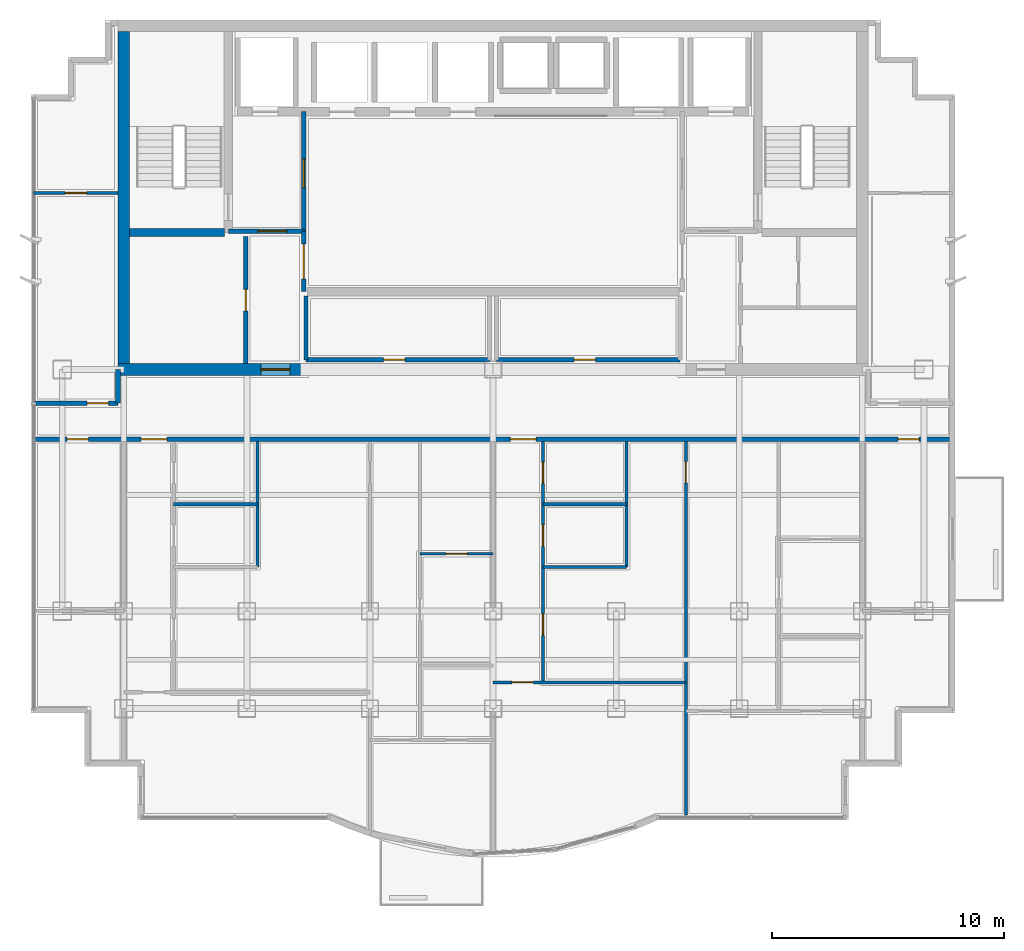
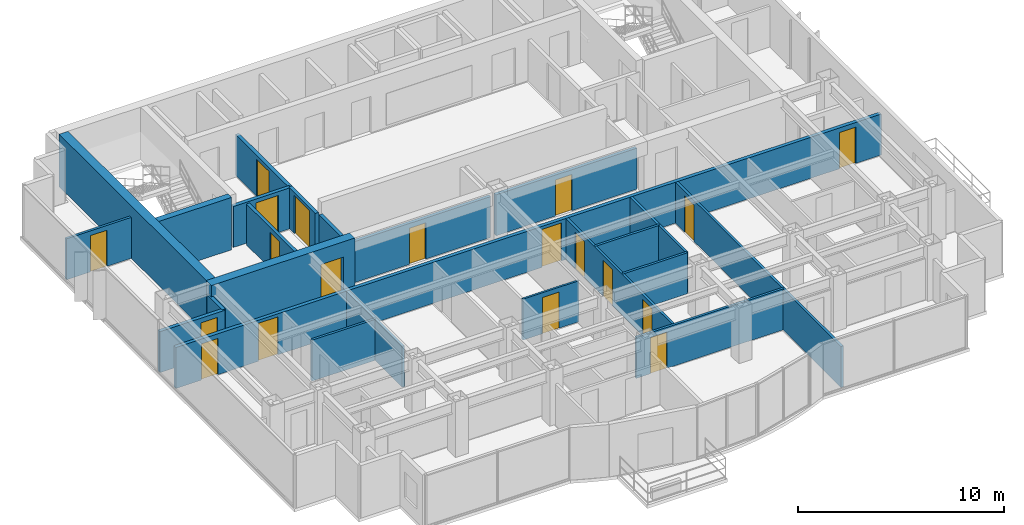
# One storey, part 7 of 11: 23 walls, 19 doors, 19 openings.
"""IFC4 building model written with IfcOpenShell, lengths in metres."""

from ifc_helpers import new_model, si_unit, direction, frame, frame_2d, origin, place, context, subcontext, project, spatial, rectangle, extrude, material, layer, layer_set, type_object, element, fill, save


model = new_model("IFC4")

# Units and contexts
model_context = context("Model", 3, precision=1e-05, world=origin(), true_north=direction((0.0, 1.0)))
body_context = subcontext(model_context, "Body", "Model", "MODEL_VIEW")
ifc_project = project(units=[si_unit("LENGTHUNIT", "METRE"), si_unit("AREAUNIT", "SQUARE_METRE"), si_unit("VOLUMEUNIT", "CUBIC_METRE"), si_unit("PLANEANGLEUNIT", "RADIAN"), si_unit("MASSUNIT", "GRAM", prefix="KILO")], contexts=[model_context])

# Site, building, storey
site_placement = place(None, origin())
site = spatial("IfcSite", under=ifc_project, at=site_placement, CompositionType="ELEMENT")
building_placement = place(site_placement, origin())
building = spatial("IfcBuilding", under=site, at=building_placement, Name="Qianlan Lanfeng Residences", CompositionType="ELEMENT")
storey_placement = place(building_placement, frame((0.0, 0.0, 226.39990234375)))
storey = spatial("IfcBuildingStorey", under=building, at=storey_placement, Name="L62", CompositionType="ELEMENT", Elevation=226.39990234375)

# Walls
ifc_material_1 = material(Name="Concrete C49", Category="concrete")
ifc_layer_1 = layer(ifc_material_1, 0.35009765625)
ifc_layer_set_1 = layer_set([ifc_layer_1], Name="Concrete C49")
wall_type_1 = type_object("IfcWallType", Name="CW-RC-350", PredefinedType="SHEAR", material=ifc_layer_set_1)
wall_1_placement = place(storey_placement, frame((10.85009765625, 31.10009765625, 0.0), z_axis=(0.0, 0.0, 1.0), x_axis=(1.0, 0.0, 0.0)))
element("IfcWall", 1, at=wall_1_placement, inside=storey, type_object=wall_type_1, Name="L62 Core Shear Wall ST1S", PredefinedType="SHEAR", context=body_context, shape_type="SweptSolid", body=[
    extrude(rectangle(XDim=4.074951171875, YDim=0.35009765625, at=frame_2d((2.03759765625, 0.0))), origin(), (0.0, 0.0, 1.0), 3.110107421875),
])
ifc_material_2 = material(Name="Concrete C70", Category="concrete")
ifc_layer_2 = layer(ifc_material_2, 0.5)
ifc_layer_set_2 = layer_set([ifc_layer_2], Name="Concrete C70")
wall_type_2 = type_object("IfcWallType", Name="CW-RC-500", PredefinedType="SHEAR", material=ifc_layer_set_2)
wall_2_placement = place(storey_placement, frame((10.60009765625, 25.449951171875, 0.0), z_axis=(0.0, 0.0, 1.0), x_axis=(0.0, 1.0, 0.0)))
element("IfcWall", 2, at=wall_2_placement, inside=storey, type_object=wall_type_2, Name="L62 Core Shear Wall W", PredefinedType="SHEAR", context=body_context, shape_type="SweptSolid", body=[
    extrude(rectangle(XDim=14.300048828125, YDim=0.5, at=frame_2d((7.14990234375, 0.0))), origin(), (0.0, 0.0, 1.0), 3.110107421875),
])

# Wall, opening, door
wall_3_placement = place(storey_placement, frame((10.35009765625, 25.199951171875, 0.0), z_axis=(0.0, 0.0, 1.0), x_axis=(1.0, 0.0, 0.0)))
wall_3 = element("IfcWall", 3, at=wall_3_placement, inside=storey, type_object=wall_type_2, Name="L62 Core Shear Wall SW", PredefinedType="SHEAR", context=body_context, shape_type="SweptSolid", body=[
    extrude(rectangle(XDim=8.0498046875, YDim=0.5, at=frame_2d((4.02490234375, 0.0))), origin(), (0.0, 0.0, 1.0), 3.110107421875),
])
opening_1_placement = place(wall_3_placement, frame((6.14990234375, 0.0, 0.0)))
opening_1 = element("IfcOpeningElement", 4, at=opening_1_placement, cuts=wall_3, Name="Opening L62-D01", PredefinedType="OPENING", context=body_context, shape_type="SweptSolid", body=[
    extrude(rectangle(XDim=1.25, YDim=2.199951171875, at=frame_2d((0.625, 1.10009765625))), frame((0.0, 0.260009765625, 0.0), z_axis=(0.0, -1.0, 0.0), x_axis=(1.0, 0.0, 0.0)), (0.0, 0.0, 1.0), 0.52001953125),
])
ifc_material_3 = material(Name="Painted Galvanised Steel Fire Door", Category="steel")
door_type_1 = type_object("IfcDoorType", Name="DT-FFL", OperationType="NOTDEFINED", PredefinedType="DOOR", material=ifc_material_3)
door_1_placement = place(opening_1_placement, origin())
door_1 = element("IfcDoor", 5, at=door_1_placement, inside=storey, type_object=door_type_1, Name="L62 West Core Lobby Smoke Door L62-D01 (DT-FFL)", OperationType="SINGLE_SWING_RIGHT", OverallHeight=2.199951171875, OverallWidth=1.25, PredefinedType="DOOR", context=body_context, shape_type="SweptSolid", body=[
    extrude(rectangle(XDim=1.25, YDim=2.199951171875, at=frame_2d((0.625, 1.10009765625))), frame((0.0, 0.02490234375, 0.0), z_axis=(0.0, -1.0, 0.0), x_axis=(1.0, 0.0, 0.0)), (0.0, 0.0, 1.0), 0.050048828125),
])
fill(opening_1, door_1)

ifc_material_4 = material(Name="Demountable Acoustic Framing Partition 110 mm")
ifc_layer_3 = layer(ifc_material_4, 0.110107421875)
ifc_layer_set_3 = layer_set([ifc_layer_3], Name="Demountable Acoustic Framing Partition 110 mm")
wall_type_3 = type_object("IfcWallType", Name="PW-110", PredefinedType="MOVABLE", material=ifc_layer_set_3)
wall_4_placement = place(storey_placement, frame((23.35009765625, 17.27392578125, 0.0), z_axis=(0.0, 0.0, 1.0), x_axis=(1.0, 0.0, 0.0)))
wall_4 = element("IfcWall", 6, at=wall_4_placement, inside=storey, type_object=wall_type_3, Name="L62 U01 Wardrobe Split", PredefinedType="MOVABLE", context=body_context, shape_type="SweptSolid", body=[
    extrude(rectangle(XDim=3.14990234375, YDim=0.110107421875, at=frame_2d((1.574951171875, 0.0))), origin(), (0.0, 0.0, 1.0), 2.43017578125),
])
opening_2_placement = place(wall_4_placement, frame((1.114990234375, 0.0, 0.0)))
opening_2 = element("IfcOpeningElement", 7, at=opening_2_placement, cuts=wall_4, Name="Opening L62-D26", PredefinedType="OPENING", context=body_context, shape_type="SweptSolid", body=[
    extrude(rectangle(XDim=0.919921875, YDim=2.14990234375, at=frame_2d((0.4599609375, 1.074951171875))), frame((0.0, 0.06494140625, 0.0), z_axis=(0.0, -1.0, 0.0), x_axis=(1.0, 0.0, 0.0)), (0.0, 0.0, 1.0), 0.130126953125),
])
ifc_material_5 = material(Name="Glazed Timber Kitchen/Study Door", Category="wood")
door_type_2 = type_object("IfcDoorType", Name="DT-INT", OperationType="NOTDEFINED", PredefinedType="DOOR", material=ifc_material_5)
door_2_placement = place(opening_2_placement, origin())
door_2 = element("IfcDoor", 8, at=door_2_placement, inside=storey, type_object=door_type_2, Name="L62 U01 Dressing Inner Door L62-D26 (DT-INT)", OperationType="SINGLE_SWING_LEFT", OverallHeight=2.14990234375, OverallWidth=0.919921875, PredefinedType="DOOR", context=body_context, shape_type="SweptSolid", body=[
    extrude(rectangle(XDim=0.919921875, YDim=2.14990234375, at=frame_2d((0.4599609375, 1.074951171875))), frame((0.0, 0.02490234375, 0.0), z_axis=(0.0, -1.0, 0.0), x_axis=(1.0, 0.0, 0.0)), (0.0, 0.0, 1.0), 0.050048828125),
])
fill(opening_2, door_2)

# Walls
ifc_material_6 = material(Name="Moisture-Resistant Gypsum Partition 135 mm")
ifc_layer_4 = layer(ifc_material_6, 0.135009765625)
ifc_layer_set_4 = layer_set([ifc_layer_4], Name="Moisture-Resistant Gypsum Partition 135 mm")
wall_type_4 = type_object("IfcWallType", Name="PW-135", PredefinedType="PARTITIONING", material=ifc_layer_set_4)
wall_5_placement = place(storey_placement, frame((16.35009765625, 16.699951171875, 0.0), z_axis=(0.0, 0.0, 1.0), x_axis=(0.0, 1.0, 0.0)))
element("IfcWall", 9, at=wall_5_placement, inside=storey, type_object=wall_type_4, Name="L62 U01 Dining East Wall", PredefinedType="PARTITIONING", context=body_context, shape_type="SweptSolid", body=[
    extrude(rectangle(XDim=5.400146484375, YDim=0.135009765625, at=frame_2d((2.7001953125, 0.0))), origin(), (0.0, 0.0, 1.0), 2.43017578125),
])
wall_6_placement = place(storey_placement, frame((12.75, 19.39990234375, 0.0), z_axis=(0.0, 0.0, 1.0), x_axis=(1.0, 0.0, 0.0)))
element("IfcWall", 10, at=wall_6_placement, inside=storey, type_object=wall_type_4, Name="L62 U01 Bathroom South Wall", PredefinedType="PARTITIONING", context=body_context, shape_type="SweptSolid", body=[
    extrude(rectangle(XDim=3.60009765625, YDim=0.135009765625, at=frame_2d((1.800048828125, 0.0))), origin(), (0.0, 0.0, 1.0), 2.43017578125),
])

# Wall, opening, door
wall_7_placement = place(storey_placement, frame((34.800048828125, 6.02001953125, 0.0), z_axis=(0.0, 0.0, 1.0), x_axis=(0.0, 1.0, 0.0)))
wall_7 = element("IfcWall", 11, at=wall_7_placement, inside=storey, type_object=wall_type_4, Name="L62 U02 Bay Spine Wall 1", PredefinedType="PARTITIONING", context=body_context, shape_type="SweptSolid", body=[
    extrude(rectangle(XDim=16.080078125, YDim=0.135009765625, at=frame_2d((8.0400390625, 0.0))), origin(), (0.0, 0.0, 1.0), 2.43017578125),
])
opening_3_placement = place(wall_7_placement, frame((14.294921875, 0.0, 0.0)))
opening_3 = element("IfcOpeningElement", 12, at=opening_3_placement, cuts=wall_7, Name="Opening L62-D28", PredefinedType="OPENING", context=body_context, shape_type="SweptSolid", body=[
    extrude(rectangle(XDim=0.919921875, YDim=2.14990234375, at=frame_2d((0.4599609375, 1.074951171875))), frame((0.0, 0.07763671875, 0.0), z_axis=(0.0, -1.0, 0.0), x_axis=(1.0, 0.0, 0.0)), (0.0, 0.0, 1.0), 0.155029296875),
])
door_3_placement = place(opening_3_placement, origin())
door_3 = element("IfcDoor", 13, at=door_3_placement, inside=storey, type_object=door_type_2, Name="L62 U02 Internal Hall Door L62-D28 (DT-INT)", OperationType="SINGLE_SWING_LEFT", OverallHeight=2.14990234375, OverallWidth=0.919921875, PredefinedType="DOOR", context=body_context, shape_type="SweptSolid", body=[
    extrude(rectangle(XDim=0.919921875, YDim=2.14990234375, at=frame_2d((0.4599609375, 1.074951171875))), frame((0.0, 0.02490234375, 0.0), z_axis=(0.0, -1.0, 0.0), x_axis=(1.0, 0.0, 0.0)), (0.0, 0.0, 1.0), 0.050048828125),
])
fill(opening_3, door_3)

wall_8_placement = place(storey_placement, frame((26.5, 11.72900390625, 0.0), z_axis=(0.0, 0.0, 1.0), x_axis=(1.0, 0.0, 0.0)))
wall_8 = element("IfcWall", 14, at=wall_8_placement, inside=storey, type_object=wall_type_4, Name="L62 U02 Living Divider", PredefinedType="PARTITIONING", context=body_context, shape_type="SweptSolid", body=[
    extrude(rectangle(XDim=8.300048828125, YDim=0.135009765625, at=frame_2d((4.14990234375, 0.0))), origin(), (0.0, 0.0, 1.0), 2.43017578125),
])
opening_4_placement = place(wall_8_placement, frame((0.81494140625, 0.0, 0.0)))
opening_4 = element("IfcOpeningElement", 15, at=opening_4_placement, cuts=wall_8, Name="Opening L62-D29", PredefinedType="OPENING", context=body_context, shape_type="SweptSolid", body=[
    extrude(rectangle(XDim=0.919921875, YDim=2.14990234375, at=frame_2d((0.4599609375, 1.074951171875))), frame((0.0, 0.07763671875, 0.0), z_axis=(0.0, -1.0, 0.0), x_axis=(1.0, 0.0, 0.0)), (0.0, 0.0, 1.0), 0.155029296875),
])
door_4_placement = place(opening_4_placement, origin())
door_4 = element("IfcDoor", 16, at=door_4_placement, inside=storey, type_object=door_type_2, Name="L62 U02 Living Passage Door L62-D29 (DT-INT)", OperationType="SINGLE_SWING_LEFT", OverallHeight=2.14990234375, OverallWidth=0.919921875, PredefinedType="DOOR", context=body_context, shape_type="SweptSolid", body=[
    extrude(rectangle(XDim=0.919921875, YDim=2.14990234375, at=frame_2d((0.4599609375, 1.074951171875))), frame((0.0, 0.02490234375, 0.0), z_axis=(0.0, -1.0, 0.0), x_axis=(1.0, 0.0, 0.0)), (0.0, 0.0, 1.0), 0.050048828125),
])
fill(opening_4, door_4)

# Wall, openings, doors
wall_9_placement = place(storey_placement, frame((28.64990234375, 11.72900390625, 0.0), z_axis=(0.0, 0.0, 1.0), x_axis=(0.0, 1.0, 0.0)))
wall_9 = element("IfcWall", 17, at=wall_9_placement, inside=storey, type_object=wall_type_4, Name="L62 U02 Entry Hall Spine", PredefinedType="PARTITIONING", context=body_context, shape_type="SweptSolid", body=[
    extrude(rectangle(XDim=10.37109375, YDim=0.135009765625, at=frame_2d((5.185546875, 0.0))), origin(), (0.0, 0.0, 1.0), 2.43017578125),
])
opening_5_placement = place(wall_9_placement, frame((2.02587890625, 0.0, 0.0)))
opening_5 = element("IfcOpeningElement", 18, at=opening_5_placement, cuts=wall_9, Name="Opening L62-D30", PredefinedType="OPENING", context=body_context, shape_type="SweptSolid", body=[
    extrude(rectangle(XDim=0.919921875, YDim=2.14990234375, at=frame_2d((0.4599609375, 1.074951171875))), frame((0.0, 0.07763671875, 0.0), z_axis=(0.0, -1.0, 0.0), x_axis=(1.0, 0.0, 0.0)), (0.0, 0.0, 1.0), 0.155029296875),
])
opening_6_placement = place(wall_9_placement, frame((5.861083984375, 0.0, 0.0)))
opening_6 = element("IfcOpeningElement", 19, at=opening_6_placement, cuts=wall_9, Name="Opening L62-D31", PredefinedType="OPENING", context=body_context, shape_type="SweptSolid", body=[
    extrude(rectangle(XDim=0.919921875, YDim=2.14990234375, at=frame_2d((0.4599609375, 1.074951171875))), frame((0.0, 0.07763671875, 0.0), z_axis=(0.0, -1.0, 0.0), x_axis=(1.0, 0.0, 0.0)), (0.0, 0.0, 1.0), 0.155029296875),
])
opening_7_placement = place(wall_9_placement, frame((8.571044921875, 0.0, 0.0)))
opening_7 = element("IfcOpeningElement", 20, at=opening_7_placement, cuts=wall_9, Name="Opening L62-D32", PredefinedType="OPENING", context=body_context, shape_type="SweptSolid", body=[
    extrude(rectangle(XDim=0.89990234375, YDim=2.14990234375, at=frame_2d((0.449951171875, 1.074951171875))), frame((0.0, 0.07763671875, 0.0), z_axis=(0.0, -1.0, 0.0), x_axis=(1.0, 0.0, 0.0)), (0.0, 0.0, 1.0), 0.155029296875),
])
door_5_placement = place(opening_5_placement, origin())
door_5 = element("IfcDoor", 21, at=door_5_placement, inside=storey, type_object=door_type_2, Name="L62 U02 Study Door L62-D30 (DT-INT)", OperationType="SINGLE_SWING_LEFT", OverallHeight=2.14990234375, OverallWidth=0.919921875, PredefinedType="DOOR", context=body_context, shape_type="SweptSolid", body=[
    extrude(rectangle(XDim=0.919921875, YDim=2.14990234375, at=frame_2d((0.4599609375, 1.074951171875))), frame((0.0, 0.02490234375, 0.0), z_axis=(0.0, -1.0, 0.0), x_axis=(1.0, 0.0, 0.0)), (0.0, 0.0, 1.0), 0.050048828125),
])
fill(opening_5, door_5)
door_6_placement = place(opening_6_placement, origin())
door_6 = element("IfcDoor", 22, at=door_6_placement, inside=storey, type_object=door_type_2, Name="L62 U02 Kitchen Door L62-D31 (DT-INT)", OperationType="SINGLE_SWING_RIGHT", OverallHeight=2.14990234375, OverallWidth=0.919921875, PredefinedType="DOOR", context=body_context, shape_type="SweptSolid", body=[
    extrude(rectangle(XDim=0.919921875, YDim=2.14990234375, at=frame_2d((0.4599609375, 1.074951171875))), frame((0.0, 0.02490234375, 0.0), z_axis=(0.0, -1.0, 0.0), x_axis=(1.0, 0.0, 0.0)), (0.0, 0.0, 1.0), 0.050048828125),
])
fill(opening_6, door_6)
ifc_material_7 = material(Name="Moisture-Resistant Timber Leaf", Category="wood")
door_type_3 = type_object("IfcDoorType", Name="DT-WC", OperationType="NOTDEFINED", PredefinedType="DOOR", material=ifc_material_7)
door_7_placement = place(opening_7_placement, origin())
door_7 = element("IfcDoor", 23, at=door_7_placement, inside=storey, type_object=door_type_3, Name="L62 U02 Bathroom Door L62-D32 (DT-WC)", OperationType="SINGLE_SWING_LEFT", OverallHeight=2.14990234375, OverallWidth=0.89990234375, PredefinedType="DOOR", context=body_context, shape_type="SweptSolid", body=[
    extrude(rectangle(XDim=0.89990234375, YDim=2.14990234375, at=frame_2d((0.449951171875, 1.074951171875))), frame((0.0, 0.02490234375, 0.0), z_axis=(0.0, -1.0, 0.0), x_axis=(1.0, 0.0, 0.0)), (0.0, 0.0, 1.0), 0.050048828125),
])
fill(opening_7, door_7)

# Walls
wall_10_placement = place(storey_placement, frame((28.64990234375, 16.699951171875, 0.0), z_axis=(0.0, 0.0, 1.0), x_axis=(1.0, 0.0, 0.0)))
element("IfcWall", 24, at=wall_10_placement, inside=storey, type_object=wall_type_4, Name="L62 U02 Kitchen South Wall", PredefinedType="PARTITIONING", context=body_context, shape_type="SweptSolid", body=[
    extrude(rectangle(XDim=3.60009765625, YDim=0.135009765625, at=frame_2d((1.800048828125, 0.0))), origin(), (0.0, 0.0, 1.0), 2.43017578125),
])
wall_11_placement = place(storey_placement, frame((32.25, 16.699951171875, 0.0), z_axis=(0.0, 0.0, 1.0), x_axis=(0.0, 1.0, 0.0)))
element("IfcWall", 25, at=wall_11_placement, inside=storey, type_object=wall_type_4, Name="L62 U02 Dining East Wall", PredefinedType="PARTITIONING", context=body_context, shape_type="SweptSolid", body=[
    extrude(rectangle(XDim=5.400146484375, YDim=0.135009765625, at=frame_2d((2.7001953125, 0.0))), origin(), (0.0, 0.0, 1.0), 2.43017578125),
])
wall_12_placement = place(storey_placement, frame((28.64990234375, 19.39990234375, 0.0), z_axis=(0.0, 0.0, 1.0), x_axis=(1.0, 0.0, 0.0)))
element("IfcWall", 26, at=wall_12_placement, inside=storey, type_object=wall_type_4, Name="L62 U02 Bathroom South Wall", PredefinedType="PARTITIONING", context=body_context, shape_type="SweptSolid", body=[
    extrude(rectangle(XDim=3.60009765625, YDim=0.135009765625, at=frame_2d((1.800048828125, 0.0))), origin(), (0.0, 0.0, 1.0), 2.43017578125),
])

# Wall, opening, door
wall_13_placement = place(storey_placement, frame((6.719970703125, 32.800048828125, 0.0), z_axis=(0.0, 0.0, 1.0), x_axis=(1.0, 0.0, 0.0)))
wall_13 = element("IfcWall", 27, at=wall_13_placement, inside=storey, type_object=wall_type_4, Name="L62 WW North Wing Wall", PredefinedType="PARTITIONING", context=body_context, shape_type="SweptSolid", body=[
    extrude(rectangle(XDim=3.630126953125, YDim=0.135009765625, at=frame_2d((1.81494140625, 0.0))), origin(), (0.0, 0.0, 1.0), 2.43017578125),
])
opening_8_placement = place(wall_13_placement, frame((1.35498046875, 0.0, 0.0)))
opening_8 = element("IfcOpeningElement", 28, at=opening_8_placement, cuts=wall_13, Name="Opening L62-D41", PredefinedType="OPENING", context=body_context, shape_type="SweptSolid", body=[
    extrude(rectangle(XDim=0.919921875, YDim=2.14990234375, at=frame_2d((0.4599609375, 1.074951171875))), frame((0.0, 0.07763671875, 0.0), z_axis=(0.0, -1.0, 0.0), x_axis=(1.0, 0.0, 0.0)), (0.0, 0.0, 1.0), 0.155029296875),
])
door_8_placement = place(opening_8_placement, origin())
door_8 = element("IfcDoor", 29, at=door_8_placement, inside=storey, type_object=door_type_2, Name="L62 WW Inner Salon Door L62-D41 (DT-INT)", OperationType="SINGLE_SWING_RIGHT", OverallHeight=2.14990234375, OverallWidth=0.919921875, PredefinedType="DOOR", context=body_context, shape_type="SweptSolid", body=[
    extrude(rectangle(XDim=0.919921875, YDim=2.14990234375, at=frame_2d((0.4599609375, 1.074951171875))), frame((0.0, 0.02490234375, 0.0), z_axis=(0.0, -1.0, 0.0), x_axis=(1.0, 0.0, 0.0)), (0.0, 0.0, 1.0), 0.050048828125),
])
fill(opening_8, door_8)

ifc_material_8 = material(Name="Double-Layer Acoustic Gypsum Stud Wall 180 mm")
ifc_layer_5 = layer(ifc_material_8, 0.179931640625)
ifc_layer_set_5 = layer_set([ifc_layer_5], Name="Double-Layer Acoustic Gypsum Stud Wall 180 mm")
wall_type_5 = type_object("IfcWallType", Name="PW-180", PredefinedType="PARTITIONING", material=ifc_layer_set_5)
wall_14_placement = place(storey_placement, frame((15.85009765625, 25.449951171875, 0.0), z_axis=(0.0, 0.0, 1.0), x_axis=(0.0, 1.0, 0.0)))
wall_14 = element("IfcWall", 30, at=wall_14_placement, inside=storey, type_object=wall_type_5, Name="L62 Core West Service Room Wall", PredefinedType="PARTITIONING", context=body_context, shape_type="SweptSolid", body=[
    extrude(rectangle(XDim=5.47509765625, YDim=0.179931640625, at=frame_2d((2.737548828125, 0.0))), origin(), (0.0, 0.0, 1.0), 2.43017578125),
])
opening_9_placement = place(wall_14_placement, frame((2.277099609375, 0.0, 0.0)))
opening_9 = element("IfcOpeningElement", 31, at=opening_9_placement, cuts=wall_14, Name="Opening L62-D09", PredefinedType="OPENING", context=body_context, shape_type="SweptSolid", body=[
    extrude(rectangle(XDim=0.919921875, YDim=2.14990234375, at=frame_2d((0.4599609375, 1.074951171875))), frame((0.0, 0.10009765625, 0.0), z_axis=(0.0, -1.0, 0.0), x_axis=(1.0, 0.0, 0.0)), (0.0, 0.0, 1.0), 0.199951171875),
])
door_9_placement = place(opening_9_placement, origin())
door_9 = element("IfcDoor", 32, at=door_9_placement, inside=storey, type_object=door_type_2, Name="L62 Storage Room Door L62-D09 (DT-INT)", OperationType="SINGLE_SWING_RIGHT", OverallHeight=2.14990234375, OverallWidth=0.919921875, PredefinedType="DOOR", context=body_context, shape_type="SweptSolid", body=[
    extrude(rectangle(XDim=0.919921875, YDim=2.14990234375, at=frame_2d((0.4599609375, 1.074951171875))), frame((0.0, 0.02490234375, 0.0), z_axis=(0.0, -1.0, 0.0), x_axis=(1.0, 0.0, 0.0)), (0.0, 0.0, 1.0), 0.050048828125),
])
fill(opening_9, door_9)

# Wall
wall_15_placement = place(storey_placement, frame((18.449951171875, 25.6201171875, 0.0), z_axis=(0.0, 0.0, 1.0), x_axis=(0.0, 1.0, 0.0)))
element("IfcWall", 33, at=wall_15_placement, inside=storey, type_object=wall_type_5, Name="L62 Reclaimed Low-Bank Room West Wall", PredefinedType="PARTITIONING", context=body_context, shape_type="SweptSolid", body=[
    extrude(rectangle(XDim=2.7548828125, YDim=0.179931640625, at=frame_2d((1.37744140625, 0.0))), origin(), (0.0, 0.0, 1.0), 2.43017578125),
])

# Wall, opening, door
wall_16_placement = place(storey_placement, frame((18.449951171875, 25.6201171875, 0.0), z_axis=(0.0, 0.0, 1.0), x_axis=(1.0, 0.0, 0.0)))
wall_16 = element("IfcWall", 34, at=wall_16_placement, inside=storey, type_object=wall_type_5, Name="L62 Reclaimed Low-Bank Room South Wall", PredefinedType="PARTITIONING", context=body_context, shape_type="SweptSolid", body=[
    extrude(rectangle(XDim=7.900146484375, YDim=0.179931640625, at=frame_2d((3.9501953125, 0.0))), origin(), (0.0, 0.0, 1.0), 2.43017578125),
])
opening_10_placement = place(wall_16_placement, frame((3.340087890625, 0.0, 0.0)))
opening_10 = element("IfcOpeningElement", 35, at=opening_10_placement, cuts=wall_16, Name="Opening L62-D15", PredefinedType="OPENING", context=body_context, shape_type="SweptSolid", body=[
    extrude(rectangle(XDim=0.919921875, YDim=2.14990234375, at=frame_2d((0.4599609375, 1.074951171875))), frame((0.0, 0.10009765625, 0.0), z_axis=(0.0, -1.0, 0.0), x_axis=(1.0, 0.0, 0.0)), (0.0, 0.0, 1.0), 0.199951171875),
])
door_10_placement = place(opening_10_placement, origin())
door_10 = element("IfcDoor", 36, at=door_10_placement, inside=storey, type_object=door_type_2, Name="L62 Reclaimed Core Salon Door L62-D15 (DT-INT)", OperationType="SINGLE_SWING_RIGHT", OverallHeight=2.14990234375, OverallWidth=0.919921875, PredefinedType="DOOR", context=body_context, shape_type="SweptSolid", body=[
    extrude(rectangle(XDim=0.919921875, YDim=2.14990234375, at=frame_2d((0.4599609375, 1.074951171875))), frame((0.0, 0.02490234375, 0.0), z_axis=(0.0, -1.0, 0.0), x_axis=(1.0, 0.0, 0.0)), (0.0, 0.0, 1.0), 0.050048828125),
])
fill(opening_10, door_10)

wall_17_placement = place(storey_placement, frame((26.64990234375, 25.6201171875, 0.0), z_axis=(0.0, 0.0, 1.0), x_axis=(1.0, 0.0, 0.0)))
wall_17 = element("IfcWall", 37, at=wall_17_placement, inside=storey, type_object=wall_type_5, Name="L62 Reclaimed Mid-Bank Room South Wall", PredefinedType="PARTITIONING", context=body_context, shape_type="SweptSolid", body=[
    extrude(rectangle(XDim=7.900146484375, YDim=0.179931640625, at=frame_2d((3.9501953125, 0.0))), origin(), (0.0, 0.0, 1.0), 2.43017578125),
])
opening_11_placement = place(wall_17_placement, frame((3.340087890625, 0.0, 0.0)))
opening_11 = element("IfcOpeningElement", 38, at=opening_11_placement, cuts=wall_17, Name="Opening L62-D16", PredefinedType="OPENING", context=body_context, shape_type="SweptSolid", body=[
    extrude(rectangle(XDim=0.919921875, YDim=2.14990234375, at=frame_2d((0.4599609375, 1.074951171875))), frame((0.0, 0.10009765625, 0.0), z_axis=(0.0, -1.0, 0.0), x_axis=(1.0, 0.0, 0.0)), (0.0, 0.0, 1.0), 0.199951171875),
])
door_11_placement = place(opening_11_placement, origin())
door_11 = element("IfcDoor", 39, at=door_11_placement, inside=storey, type_object=door_type_2, Name="L62 Reclaimed Mid-Bank Salon Door L62-D16 (DT-INT)", OperationType="SINGLE_SWING_LEFT", OverallHeight=2.14990234375, OverallWidth=0.919921875, PredefinedType="DOOR", context=body_context, shape_type="SweptSolid", body=[
    extrude(rectangle(XDim=0.919921875, YDim=2.14990234375, at=frame_2d((0.4599609375, 1.074951171875))), frame((0.0, 0.02490234375, 0.0), z_axis=(0.0, -1.0, 0.0), x_axis=(1.0, 0.0, 0.0)), (0.0, 0.0, 1.0), 0.050048828125),
])
fill(opening_11, door_11)

ifc_material_9 = material(Name="Autoclaved Aerated Concrete Blockwork 200 mm", Category="masonry")
ifc_layer_6 = layer(ifc_material_9, 0.199951171875)
ifc_layer_set_6 = layer_set([ifc_layer_6], Name="Autoclaved Aerated Concrete Blockwork 200 mm")
wall_type_6 = type_object("IfcWallType", Name="PW-200", PredefinedType="PARTITIONING", material=ifc_layer_set_6)
wall_18_placement = place(storey_placement, frame((15.10009765625, 31.14990234375, 0.0), z_axis=(0.0, 0.0, 1.0), x_axis=(1.0, 0.0, 0.0)))
wall_18 = element("IfcWall", 40, at=wall_18_placement, inside=storey, type_object=wall_type_6, Name="L62 Firefighting Lobby 1 South Wall", PredefinedType="PARTITIONING", context=body_context, shape_type="SweptSolid", body=[
    extrude(rectangle(XDim=3.25, YDim=0.199951171875, at=frame_2d((1.625, 0.0))), origin(), (0.0, 0.0, 1.0), 2.43017578125),
])
opening_12_placement = place(wall_18_placement, frame((1.27490234375, 0.0, 0.0)))
opening_12 = element("IfcOpeningElement", 41, at=opening_12_placement, cuts=wall_18, Name="Opening L62-D03", PredefinedType="OPENING", context=body_context, shape_type="SweptSolid", body=[
    extrude(rectangle(XDim=1.25, YDim=2.199951171875, at=frame_2d((0.625, 1.10009765625))), frame((0.0, 0.10986328125, 0.0), z_axis=(0.0, -1.0, 0.0), x_axis=(1.0, 0.0, 0.0)), (0.0, 0.0, 1.0), 0.219970703125),
])
door_12_placement = place(opening_12_placement, origin())
door_12 = element("IfcDoor", 42, at=door_12_placement, inside=storey, type_object=door_type_1, Name="L62 Firefighting Lobby 1 Entry Door L62-D03 (DT-FFL)", OperationType="SINGLE_SWING_LEFT", OverallHeight=2.199951171875, OverallWidth=1.25, PredefinedType="DOOR", context=body_context, shape_type="SweptSolid", body=[
    extrude(rectangle(XDim=1.25, YDim=2.199951171875, at=frame_2d((0.625, 1.10009765625))), frame((0.0, 0.02490234375, 0.0), z_axis=(0.0, -1.0, 0.0), x_axis=(1.0, 0.0, 0.0)), (0.0, 0.0, 1.0), 0.050048828125),
])
fill(opening_12, door_12)

wall_19_placement = place(storey_placement, frame((18.35009765625, 31.14990234375, 0.0), z_axis=(0.0, 0.0, 1.0), x_axis=(0.0, 1.0, 0.0)))
wall_19 = element("IfcWall", 43, at=wall_19_placement, inside=storey, type_object=wall_type_6, Name="L62 Firefighting Lobby 1 East Wall", PredefinedType="PARTITIONING", context=body_context, shape_type="SweptSolid", body=[
    extrude(rectangle(XDim=5.150146484375, YDim=0.199951171875, at=frame_2d((2.5751953125, 0.0))), origin(), (0.0, 0.0, 1.0), 2.43017578125),
])
opening_13_placement = place(wall_19_placement, frame((1.875, 0.0, 0.0)))
opening_13 = element("IfcOpeningElement", 44, at=opening_13_placement, cuts=wall_19, Name="Opening L62-D04", PredefinedType="OPENING", context=body_context, shape_type="SweptSolid", body=[
    extrude(rectangle(XDim=1.25, YDim=2.199951171875, at=frame_2d((0.625, 1.10009765625))), frame((0.0, 0.10986328125, 0.0), z_axis=(0.0, -1.0, 0.0), x_axis=(1.0, 0.0, 0.0)), (0.0, 0.0, 1.0), 0.219970703125),
])
door_13_placement = place(opening_13_placement, origin())
door_13 = element("IfcDoor", 45, at=door_13_placement, inside=storey, type_object=door_type_1, Name="L62 Firefighting Lobby 1 Lift Lobby Door L62-D04 (DT-FFL)", OperationType="SINGLE_SWING_LEFT", OverallHeight=2.199951171875, OverallWidth=1.25, PredefinedType="DOOR", context=body_context, shape_type="SweptSolid", body=[
    extrude(rectangle(XDim=1.25, YDim=2.199951171875, at=frame_2d((0.625, 1.10009765625))), frame((0.0, 0.02490234375, 0.0), z_axis=(0.0, -1.0, 0.0), x_axis=(1.0, 0.0, 0.0)), (0.0, 0.0, 1.0), 0.050048828125),
])
fill(opening_13, door_13)

wall_20_placement = place(storey_placement, frame((18.35009765625, 28.550048828125, 0.0), z_axis=(0.0, 0.0, 1.0), x_axis=(0.0, 1.0, 0.0)))
wall_20 = element("IfcWall", 46, at=wall_20_placement, inside=storey, type_object=wall_type_6, Name="L62 Lift Lobby West Connector Wall", PredefinedType="PARTITIONING", context=body_context, shape_type="SweptSolid", body=[
    extrude(rectangle(XDim=2.599853515625, YDim=0.199951171875, at=frame_2d((1.2998046875, 0.0))), origin(), (0.0, 0.0, 1.0), 2.43017578125),
])
opening_14_placement = place(wall_20_placement, frame((0.550048828125, 0.0, 0.0)))
opening_14 = element("IfcOpeningElement", 47, at=opening_14_placement, cuts=wall_20, Name="Opening L62-D13", PredefinedType="OPENING", context=body_context, shape_type="SweptSolid", body=[
    extrude(rectangle(XDim=1.5, YDim=2.25, at=frame_2d((0.75, 1.125))), frame((0.0, 0.10986328125, 0.0), z_axis=(0.0, -1.0, 0.0), x_axis=(1.0, 0.0, 0.0)), (0.0, 0.0, 1.0), 0.219970703125),
])
ifc_material_10 = material(Name="Timber Veneer Acoustic Fire Door", Category="wood")
door_type_4 = type_object("IfcDoorType", Name="DT-COR1", OperationType="NOTDEFINED", PredefinedType="DOOR", material=ifc_material_10)
door_14_placement = place(opening_14_placement, origin())
door_14 = element("IfcDoor", 48, at=door_14_placement, inside=storey, type_object=door_type_4, Name="L62 Lift Lobby West Portal Door L62-D13 (DT-COR1)", OperationType="DOUBLE_DOOR_SINGLE_SWING", OverallHeight=2.25, OverallWidth=1.5, PredefinedType="DOOR", context=body_context, shape_type="SweptSolid", body=[
    extrude(rectangle(XDim=1.5, YDim=2.25, at=frame_2d((0.75, 1.125))), frame((0.0, 0.02490234375, 0.0), z_axis=(0.0, -1.0, 0.0), x_axis=(1.0, 0.0, 0.0)), (0.0, 0.0, 1.0), 0.050048828125),
])
fill(opening_14, door_14)

# Wall, openings, doors
wall_21_placement = place(storey_placement, frame((6.719970703125, 22.199951171875, 0.0), z_axis=(0.0, 0.0, 1.0), x_axis=(1.0, 0.0, 0.0)))
wall_21 = element("IfcWall", 49, at=wall_21_placement, inside=storey, type_object=wall_type_6, Name="L62 Residential Corridor South Fire Wall", PredefinedType="PARTITIONING", context=body_context, shape_type="SweptSolid", body=[
    extrude(rectangle(XDim=39.56005859375, YDim=0.199951171875, at=frame_2d((19.780029296875, 0.0))), origin(), (0.0, 0.0, 1.0), 2.43017578125),
])
opening_15_placement = place(wall_21_placement, frame((4.6298828125, 0.0, 0.0)))
opening_15 = element("IfcOpeningElement", 50, at=opening_15_placement, cuts=wall_21, Name="Opening L62-D17", PredefinedType="OPENING", context=body_context, shape_type="SweptSolid", body=[
    extrude(rectangle(XDim=1.10009765625, YDim=2.25, at=frame_2d((0.550048828125, 1.125))), frame((0.0, 0.10986328125, 0.0), z_axis=(0.0, -1.0, 0.0), x_axis=(1.0, 0.0, 0.0)), (0.0, 0.0, 1.0), 0.219970703125),
])
opening_16_placement = place(wall_21_placement, frame((20.530029296875, 0.0, 0.0)))
opening_16 = element("IfcOpeningElement", 51, at=opening_16_placement, cuts=wall_21, Name="Opening L62-D27", PredefinedType="OPENING", context=body_context, shape_type="SweptSolid", body=[
    extrude(rectangle(XDim=1.10009765625, YDim=2.25, at=frame_2d((0.550048828125, 1.125))), frame((0.0, 0.10986328125, 0.0), z_axis=(0.0, -1.0, 0.0), x_axis=(1.0, 0.0, 0.0)), (0.0, 0.0, 1.0), 0.219970703125),
])
opening_17_placement = place(wall_21_placement, frame((1.43505859375, 0.0, 0.0)))
opening_17 = element("IfcOpeningElement", 52, at=opening_17_placement, cuts=wall_21, Name="Opening L62-D38", PredefinedType="OPENING", context=body_context, shape_type="SweptSolid", body=[
    extrude(rectangle(XDim=0.919921875, YDim=2.14990234375, at=frame_2d((0.4599609375, 1.074951171875))), frame((0.0, 0.10986328125, 0.0), z_axis=(0.0, -1.0, 0.0), x_axis=(1.0, 0.0, 0.0)), (0.0, 0.0, 1.0), 0.219970703125),
])
opening_18_placement = place(wall_21_placement, frame((37.205078125, 0.0, 0.0)))
opening_18 = element("IfcOpeningElement", 53, at=opening_18_placement, cuts=wall_21, Name="Opening L62-D40", PredefinedType="OPENING", context=body_context, shape_type="SweptSolid", body=[
    extrude(rectangle(XDim=0.919921875, YDim=2.14990234375, at=frame_2d((0.4599609375, 1.074951171875))), frame((0.0, 0.10986328125, 0.0), z_axis=(0.0, -1.0, 0.0), x_axis=(1.0, 0.0, 0.0)), (0.0, 0.0, 1.0), 0.219970703125),
])
door_15_placement = place(opening_17_placement, origin())
door_15 = element("IfcDoor", 54, at=door_15_placement, inside=storey, type_object=door_type_2, Name="L62 SWP Corridor Door L62-D38 (DT-INT)", OperationType="SINGLE_SWING_LEFT", OverallHeight=2.14990234375, OverallWidth=0.919921875, PredefinedType="DOOR", context=body_context, shape_type="SweptSolid", body=[
    extrude(rectangle(XDim=0.919921875, YDim=2.14990234375, at=frame_2d((0.4599609375, 1.074951171875))), frame((0.0, 0.02490234375, 0.0), z_axis=(0.0, -1.0, 0.0), x_axis=(1.0, 0.0, 0.0)), (0.0, 0.0, 1.0), 0.050048828125),
])
fill(opening_17, door_15)
door_16_placement = place(opening_18_placement, origin())
door_16 = element("IfcDoor", 55, at=door_16_placement, inside=storey, type_object=door_type_2, Name="L62 SEP Corridor Door L62-D40 (DT-INT)", OperationType="SINGLE_SWING_LEFT", OverallHeight=2.14990234375, OverallWidth=0.919921875, PredefinedType="DOOR", context=body_context, shape_type="SweptSolid", body=[
    extrude(rectangle(XDim=0.919921875, YDim=2.14990234375, at=frame_2d((0.4599609375, 1.074951171875))), frame((0.0, 0.02490234375, 0.0), z_axis=(0.0, -1.0, 0.0), x_axis=(1.0, 0.0, 0.0)), (0.0, 0.0, 1.0), 0.050048828125),
])
fill(opening_18, door_16)
ifc_material_11 = material(Name="Solid-Core Oak Veneer Fire Door")
door_type_5 = type_object("IfcDoorType", Name="DT-UNIT", OperationType="NOTDEFINED", PredefinedType="DOOR", material=ifc_material_11)
door_17_placement = place(opening_15_placement, origin())
door_17 = element("IfcDoor", 56, at=door_17_placement, inside=storey, type_object=door_type_5, Name="L62 Apartment U01 Entrance Door L62-D17 (DT-UNIT)", OperationType="SINGLE_SWING_RIGHT", OverallHeight=2.25, OverallWidth=1.10009765625, PredefinedType="DOOR", context=body_context, shape_type="SweptSolid", body=[
    extrude(rectangle(XDim=1.10009765625, YDim=2.25, at=frame_2d((0.550048828125, 1.125))), frame((0.0, 0.02490234375, 0.0), z_axis=(0.0, -1.0, 0.0), x_axis=(1.0, 0.0, 0.0)), (0.0, 0.0, 1.0), 0.050048828125),
])
fill(opening_15, door_17)
door_18_placement = place(opening_16_placement, origin())
door_18 = element("IfcDoor", 57, at=door_18_placement, inside=storey, type_object=door_type_5, Name="L62 Apartment U02 Entrance Door L62-D27 (DT-UNIT)", OperationType="SINGLE_SWING_RIGHT", OverallHeight=2.25, OverallWidth=1.10009765625, PredefinedType="DOOR", context=body_context, shape_type="SweptSolid", body=[
    extrude(rectangle(XDim=1.10009765625, YDim=2.25, at=frame_2d((0.550048828125, 1.125))), frame((0.0, 0.02490234375, 0.0), z_axis=(0.0, -1.0, 0.0), x_axis=(1.0, 0.0, 0.0)), (0.0, 0.0, 1.0), 0.050048828125),
])
fill(opening_16, door_18)

# Wall, opening, door
wall_22_placement = place(storey_placement, frame((6.719970703125, 23.75, 0.0), z_axis=(0.0, 0.0, 1.0), x_axis=(1.0, 0.0, 0.0)))
wall_22 = element("IfcWall", 58, at=wall_22_placement, inside=storey, type_object=wall_type_6, Name="L62 Corridor NW Wall", PredefinedType="PARTITIONING", context=body_context, shape_type="SweptSolid", body=[
    extrude(rectangle(XDim=3.630126953125, YDim=0.199951171875, at=frame_2d((1.81494140625, 0.0))), origin(), (0.0, 0.0, 1.0), 2.43017578125),
])
opening_19_placement = place(wall_22_placement, frame((2.304931640625, 0.0, 0.0)))
opening_19 = element("IfcOpeningElement", 59, at=opening_19_placement, cuts=wall_22, Name="Opening L62-D42", PredefinedType="OPENING", context=body_context, shape_type="SweptSolid", body=[
    extrude(rectangle(XDim=0.919921875, YDim=2.14990234375, at=frame_2d((0.4599609375, 1.074951171875))), frame((0.0, 0.10986328125, 0.0), z_axis=(0.0, -1.0, 0.0), x_axis=(1.0, 0.0, 0.0)), (0.0, 0.0, 1.0), 0.219970703125),
])
door_19_placement = place(opening_19_placement, origin())
door_19 = element("IfcDoor", 60, at=door_19_placement, inside=storey, type_object=door_type_2, Name="L62 WW Amenity Salon Door L62-D42 (DT-INT)", OperationType="SINGLE_SWING_LEFT", OverallHeight=2.14990234375, OverallWidth=0.919921875, PredefinedType="DOOR", context=body_context, shape_type="SweptSolid", body=[
    extrude(rectangle(XDim=0.919921875, YDim=2.14990234375, at=frame_2d((0.4599609375, 1.074951171875))), frame((0.0, 0.02490234375, 0.0), z_axis=(0.0, -1.0, 0.0), x_axis=(1.0, 0.0, 0.0)), (0.0, 0.0, 1.0), 0.050048828125),
])
fill(opening_19, door_19)

# Wall
wall_23_placement = place(storey_placement, frame((10.35009765625, 23.75, 0.0), z_axis=(0.0, 0.0, 1.0), x_axis=(0.0, 1.0, 0.0)))
element("IfcWall", 61, at=wall_23_placement, inside=storey, type_object=wall_type_6, Name="L62 NW Wing Core Return Wall", PredefinedType="PARTITIONING", context=body_context, shape_type="SweptSolid", body=[
    extrude(rectangle(XDim=1.449951171875, YDim=0.199951171875, at=frame_2d((0.72509765625, 0.0))), origin(), (0.0, 0.0, 1.0), 2.43017578125),
])

save(model, "model.ifc")
